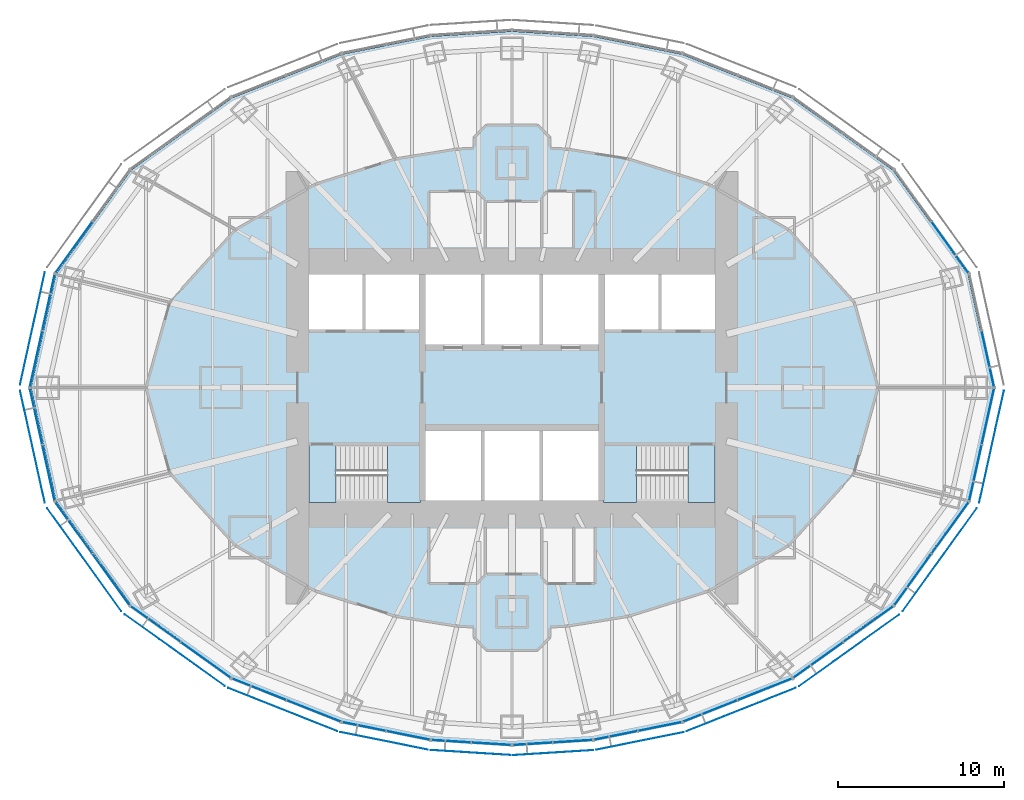
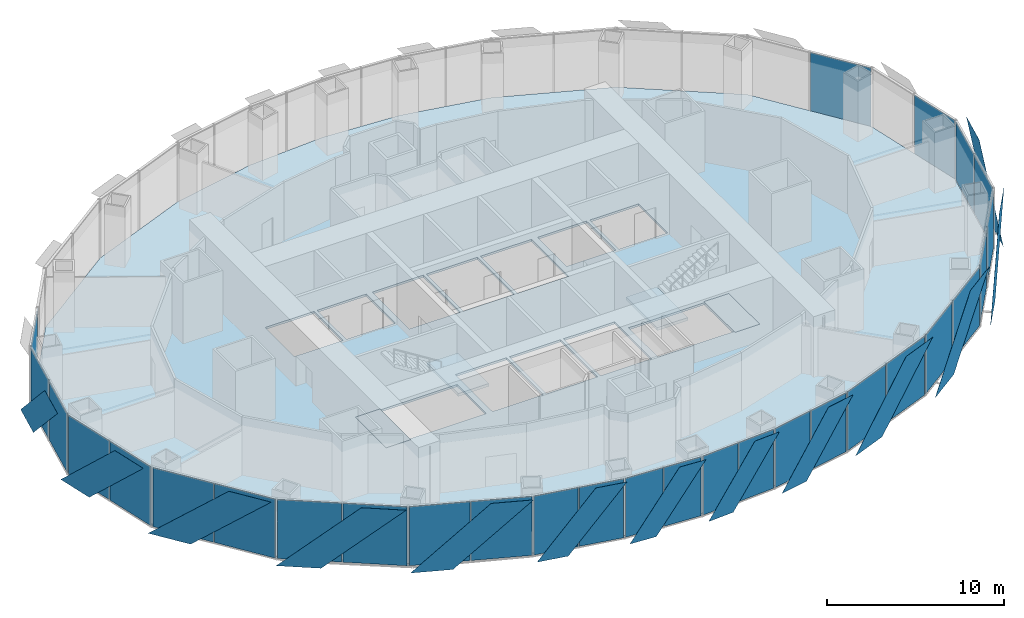
# One storey, part 9 of 17: 42 plates, 5 slabs, 18 elements without a shape of their own.
"""IFC4 building model written with IfcOpenShell, lengths in metres."""

from ifc_helpers import new_model, si_unit, direction, frame, origin, origin_2d, place, context, subcontext, project, spatial, polyline, rectangle, outline, extrude, material, layer, layer_set, type_object, element, aggregate, save


model = new_model("IFC4")

# Units and contexts
model_context = context("Model", 3, precision=1e-05, world=origin(), true_north=direction((0.0, 1.0)))
body_context = subcontext(model_context, "Body", "Model", "MODEL_VIEW")
ifc_project = project(units=[si_unit("LENGTHUNIT", "METRE"), si_unit("AREAUNIT", "SQUARE_METRE"), si_unit("VOLUMEUNIT", "CUBIC_METRE"), si_unit("PLANEANGLEUNIT", "RADIAN"), si_unit("MASSUNIT", "GRAM", prefix="KILO")], contexts=[model_context])

# Site, building, storey
site_placement = place(None, origin())
site = spatial("IfcSite", under=ifc_project, at=site_placement, CompositionType="ELEMENT")
building_placement = place(site_placement, origin())
building = spatial("IfcBuilding", under=site, at=building_placement, Name="Lantaw Convention Tower", CompositionType="ELEMENT")
storey_placement = place(building_placement, frame((0.0, 0.0, 121.60009765625)))
storey = spatial("IfcBuildingStorey", under=building, at=storey_placement, Name="L28", CompositionType="ELEMENT", Elevation=121.60009765625)

# Curtain wall, plate
ifc_material_1 = material(Name="Aluminium framed curtain wall", Category="aluminium")
curtain_wall_type = type_object("IfcCurtainWallType", Name="Office curtain wall low rise, pale aluminium", PredefinedType="USERDEFINED", material=ifc_material_1)
curtain_wall_1_placement = place(storey_placement, origin())
curtain_wall_1 = element("IfcCurtainWall", 1, at=curtain_wall_1_placement, inside=storey, type_object=curtain_wall_type, Name="Office curtain wall low rise, pale aluminium L28", ObjectType="UNITISED CURTAIN WALL", PredefinedType="USERDEFINED")
ifc_material_2 = material(Name="Clear insulating glass", Category="glass")
ifc_layer_1 = layer(ifc_material_2, 0.028076171875)
ifc_layer_set_1 = layer_set([ifc_layer_1], Name="CW-O1 panel 28")
plate_type_1 = type_object("IfcPlateType", Name="CW-O1 panel 28", PredefinedType="CURTAIN_PANEL", material=ifc_layer_set_1)
plate_1_placement = place(storey_placement, frame((28.618408203125, 1.729248046875, -0.0849609375), z_axis=(0.0, 0.0, 1.0), x_axis=(-0.215546166174, 0.9764936509, 0.0)))
plate_1 = element("IfcPlate", 2, at=plate_1_placement, type_object=plate_type_1, Name="CW-O1 panel 1.1", PredefinedType="CURTAIN_PANEL", context=body_context, shape_type="SweptSolid", body=[
    extrude(rectangle(XDim=3.41162109375, YDim=0.028076171875, at=origin_2d()), origin(), (0.0, 0.0, 1.0), 4.070068359375),
])
aggregate(curtain_wall_1, [plate_1])

curtain_wall_2_placement = place(storey_placement, origin())
curtain_wall_2 = element("IfcCurtainWall", 3, at=curtain_wall_2_placement, inside=storey, type_object=curtain_wall_type, Name="Office curtain wall low rise, pale aluminium L28", ObjectType="UNITISED CURTAIN WALL", PredefinedType="USERDEFINED")
plate_2_placement = place(storey_placement, frame((26.34814453125, 8.4345703125, -0.0849609375), z_axis=(0.0, 0.0, 1.0), x_axis=(-0.584512597221, 0.811384633629, 0.0)))
plate_2 = element("IfcPlate", 4, at=plate_2_placement, type_object=plate_type_1, Name="CW-O1 panel 1.1", PredefinedType="CURTAIN_PANEL", context=body_context, shape_type="SweptSolid", body=[
    extrude(rectangle(XDim=3.767333984375, YDim=0.028076171875, at=origin_2d()), origin(), (0.0, 0.0, 1.0), 4.070068359375),
])
aggregate(curtain_wall_2, [plate_2])

curtain_wall_3_placement = place(storey_placement, origin())
curtain_wall_3 = element("IfcCurtainWall", 5, at=curtain_wall_3_placement, inside=storey, type_object=curtain_wall_type, Name="Office curtain wall low rise, pale aluminium L28", ObjectType="UNITISED CURTAIN WALL", PredefinedType="USERDEFINED")
plate_3_placement = place(storey_placement, frame((-26.34814453125, 8.4345703125, -0.0849609375), z_axis=(0.0, 0.0, 1.0), x_axis=(-0.584512597221, -0.811384633629, 0.0)))
plate_3 = element("IfcPlate", 6, at=plate_3_placement, type_object=plate_type_1, Name="CW-O1 panel 2.1", PredefinedType="CURTAIN_PANEL", context=body_context, shape_type="SweptSolid", body=[
    extrude(rectangle(XDim=3.767333984375, YDim=0.028076171875, at=origin_2d()), origin(), (0.0, 0.0, 1.0), 4.070068359375),
])
aggregate(curtain_wall_3, [plate_3])

# Curtain wall, plates
curtain_wall_4_placement = place(storey_placement, origin())
curtain_wall_4 = element("IfcCurtainWall", 7, at=curtain_wall_4_placement, inside=storey, type_object=curtain_wall_type, Name="Office curtain wall low rise, pale aluminium L28", ObjectType="UNITISED CURTAIN WALL", PredefinedType="USERDEFINED")
plate_4_placement = place(storey_placement, frame((-27.868896484375, 5.1240234375, -0.0849609375), z_axis=(0.0, 0.0, 1.0), x_axis=(-0.215546166174, -0.9764936509, 0.0)))
plate_4 = element("IfcPlate", 8, at=plate_4_placement, type_object=plate_type_1, Name="CW-O1 panel 1.1", PredefinedType="CURTAIN_PANEL", context=body_context, shape_type="SweptSolid", body=[
    extrude(rectangle(XDim=3.41162109375, YDim=0.028076171875, at=origin_2d()), origin(), (0.0, 0.0, 1.0), 4.070068359375),
])
plate_5_placement = place(storey_placement, frame((-28.618408203125, 1.729248046875, -0.0849609375), z_axis=(0.0, 0.0, 1.0), x_axis=(-0.215546166174, -0.9764936509, 0.0)))
plate_5 = element("IfcPlate", 9, at=plate_5_placement, type_object=plate_type_1, Name="CW-O1 panel 2.1", PredefinedType="CURTAIN_PANEL", context=body_context, shape_type="SweptSolid", body=[
    extrude(rectangle(XDim=3.41162109375, YDim=0.028076171875, at=origin_2d()), origin(), (0.0, 0.0, 1.0), 4.070068359375),
])
aggregate(curtain_wall_4, [plate_4, plate_5])

curtain_wall_5_placement = place(storey_placement, origin())
curtain_wall_5 = element("IfcCurtainWall", 10, at=curtain_wall_5_placement, inside=storey, type_object=curtain_wall_type, Name="Office curtain wall low rise, pale aluminium L28", ObjectType="UNITISED CURTAIN WALL", PredefinedType="USERDEFINED")
plate_6_placement = place(storey_placement, frame((-28.618408203125, -1.729248046875, -0.0849609375), z_axis=(0.0, 0.0, 1.0), x_axis=(0.215546166174, -0.9764936509, 0.0)))
plate_6 = element("IfcPlate", 11, at=plate_6_placement, type_object=plate_type_1, Name="CW-O1 panel 1.1", PredefinedType="CURTAIN_PANEL", context=body_context, shape_type="SweptSolid", body=[
    extrude(rectangle(XDim=3.41162109375, YDim=0.028076171875, at=origin_2d()), origin(), (0.0, 0.0, 1.0), 4.070068359375),
])
plate_7_placement = place(storey_placement, frame((-27.868896484375, -5.1240234375, -0.0849609375), z_axis=(0.0, 0.0, 1.0), x_axis=(0.215546166174, -0.9764936509, 0.0)))
plate_7 = element("IfcPlate", 12, at=plate_7_placement, type_object=plate_type_1, Name="CW-O1 panel 2.1", PredefinedType="CURTAIN_PANEL", context=body_context, shape_type="SweptSolid", body=[
    extrude(rectangle(XDim=3.41162109375, YDim=0.028076171875, at=origin_2d()), origin(), (0.0, 0.0, 1.0), 4.070068359375),
])
aggregate(curtain_wall_5, [plate_6, plate_7])

curtain_wall_6_placement = place(storey_placement, origin())
curtain_wall_6 = element("IfcCurtainWall", 13, at=curtain_wall_6_placement, inside=storey, type_object=curtain_wall_type, Name="Office curtain wall low rise, pale aluminium L28", ObjectType="UNITISED CURTAIN WALL", PredefinedType="USERDEFINED")
plate_8_placement = place(storey_placement, frame((-26.34814453125, -8.4345703125, -0.0849609375), z_axis=(0.0, 0.0, 1.0), x_axis=(0.584512597221, -0.811384633629, 0.0)))
plate_8 = element("IfcPlate", 14, at=plate_8_placement, type_object=plate_type_1, Name="CW-O1 panel 1.1", PredefinedType="CURTAIN_PANEL", context=body_context, shape_type="SweptSolid", body=[
    extrude(rectangle(XDim=3.767333984375, YDim=0.028076171875, at=origin_2d()), origin(), (0.0, 0.0, 1.0), 4.070068359375),
])
plate_9_placement = place(storey_placement, frame((-24.108154296875, -11.5439453125, -0.0849609375), z_axis=(0.0, 0.0, 1.0), x_axis=(0.584512597221, -0.811384633629, 0.0)))
plate_9 = element("IfcPlate", 15, at=plate_9_placement, type_object=plate_type_1, Name="CW-O1 panel 2.1", PredefinedType="CURTAIN_PANEL", context=body_context, shape_type="SweptSolid", body=[
    extrude(rectangle(XDim=3.767333984375, YDim=0.028076171875, at=origin_2d()), origin(), (0.0, 0.0, 1.0), 4.070068359375),
])
aggregate(curtain_wall_6, [plate_8, plate_9])

curtain_wall_7_placement = place(storey_placement, origin())
curtain_wall_7 = element("IfcCurtainWall", 16, at=curtain_wall_7_placement, inside=storey, type_object=curtain_wall_type, Name="Office curtain wall low rise, pale aluminium L28", ObjectType="UNITISED CURTAIN WALL", PredefinedType="USERDEFINED")
plate_10_placement = place(storey_placement, frame((-21.43408203125, -14.2236328125, -0.0849609375), z_axis=(0.0, 0.0, 1.0), x_axis=(0.813208325995, -0.581972695693, 0.0)))
plate_10 = element("IfcPlate", 17, at=plate_10_placement, type_object=plate_type_1, Name="CW-O1 panel 1.1", PredefinedType="CURTAIN_PANEL", context=body_context, shape_type="SweptSolid", body=[
    extrude(rectangle(XDim=3.645263671875, YDim=0.028076171875, at=origin_2d()), origin(), (0.0, 0.0, 1.0), 4.070068359375),
])
plate_11_placement = place(storey_placement, frame((-18.416748046875, -16.383056640625, -0.0849609375), z_axis=(0.0, 0.0, 1.0), x_axis=(0.813208325995, -0.581972695693, 0.0)))
plate_11 = element("IfcPlate", 18, at=plate_11_placement, type_object=plate_type_1, Name="CW-O1 panel 2.1", PredefinedType="CURTAIN_PANEL", context=body_context, shape_type="SweptSolid", body=[
    extrude(rectangle(XDim=3.645263671875, YDim=0.028076171875, at=origin_2d()), origin(), (0.0, 0.0, 1.0), 4.070068359375),
])
aggregate(curtain_wall_7, [plate_10, plate_11])

curtain_wall_8_placement = place(storey_placement, origin())
curtain_wall_8 = element("IfcCurtainWall", 19, at=curtain_wall_8_placement, inside=storey, type_object=curtain_wall_type, Name="Office curtain wall low rise, pale aluminium L28", ObjectType="UNITISED CURTAIN WALL", PredefinedType="USERDEFINED")
plate_12_placement = place(storey_placement, frame((-15.208251953125, -18.145263671875, -0.0849609375), z_axis=(0.0, 0.0, 1.0), x_axis=(0.929547687544, -0.368701907483, 0.0)))
plate_12 = element("IfcPlate", 20, at=plate_12_placement, type_object=plate_type_1, Name="CW-O1 panel 1.1", PredefinedType="CURTAIN_PANEL", context=body_context, shape_type="SweptSolid", body=[
    extrude(rectangle(XDim=3.470703125, YDim=0.028076171875, at=origin_2d()), origin(), (0.0, 0.0, 1.0), 4.070068359375),
])
plate_13_placement = place(storey_placement, frame((-11.921630859375, -19.448974609375, -0.0849609375), z_axis=(0.0, 0.0, 1.0), x_axis=(0.929547687544, -0.368701907483, 0.0)))
plate_13 = element("IfcPlate", 21, at=plate_13_placement, type_object=plate_type_1, Name="CW-O1 panel 2.1", PredefinedType="CURTAIN_PANEL", context=body_context, shape_type="SweptSolid", body=[
    extrude(rectangle(XDim=3.470703125, YDim=0.028076171875, at=origin_2d()), origin(), (0.0, 0.0, 1.0), 4.070068359375),
])
aggregate(curtain_wall_8, [plate_12, plate_13])

curtain_wall_9_placement = place(storey_placement, origin())
curtain_wall_9 = element("IfcCurtainWall", 22, at=curtain_wall_9_placement, inside=storey, type_object=curtain_wall_type, Name="Office curtain wall low rise, pale aluminium L28", ObjectType="UNITISED CURTAIN WALL", PredefinedType="USERDEFINED")
plate_14_placement = place(storey_placement, frame((-8.893310546875, -20.3857421875, -0.0849609375), z_axis=(0.0, 0.0, 1.0), x_axis=(0.980301514912, -0.197506809659, 0.0)))
plate_14 = element("IfcPlate", 23, at=plate_14_placement, type_object=plate_type_1, Name="CW-O1 panel 1.1", PredefinedType="CURTAIN_PANEL", context=body_context, shape_type="SweptSolid", body=[
    extrude(rectangle(XDim=2.634033203125, YDim=0.028076171875, at=origin_2d()), origin(), (0.0, 0.0, 1.0), 4.070068359375),
])
plate_15_placement = place(storey_placement, frame((-6.247314453125, -20.9189453125, -0.0849609375), z_axis=(0.0, 0.0, 1.0), x_axis=(0.980301514912, -0.197506809659, 0.0)))
plate_15 = element("IfcPlate", 24, at=plate_15_placement, type_object=plate_type_1, Name="CW-O1 panel 2.1", PredefinedType="CURTAIN_PANEL", context=body_context, shape_type="SweptSolid", body=[
    extrude(rectangle(XDim=2.634033203125, YDim=0.028076171875, at=origin_2d()), origin(), (0.0, 0.0, 1.0), 4.070068359375),
])
aggregate(curtain_wall_9, [plate_14, plate_15])

curtain_wall_10_placement = place(storey_placement, origin())
curtain_wall_10 = element("IfcCurtainWall", 25, at=curtain_wall_10_placement, inside=storey, type_object=curtain_wall_type, Name="Office curtain wall low rise, pale aluminium L28", ObjectType="UNITISED CURTAIN WALL", PredefinedType="USERDEFINED")
plate_16_placement = place(storey_placement, frame((-3.653076171875, -21.269775390625, -0.0849609375), z_axis=(0.0, 0.0, 1.0), x_axis=(0.998022035978, -0.062865059466, 0.0)))
plate_16 = element("IfcPlate", 26, at=plate_16_placement, type_object=plate_type_1, Name="CW-O1 panel 1.1", PredefinedType="CURTAIN_PANEL", context=body_context, shape_type="SweptSolid", body=[
    extrude(rectangle(XDim=2.353515625, YDim=0.028076171875, at=origin_2d()), origin(), (0.0, 0.0, 1.0), 4.070068359375),
])
plate_17_placement = place(storey_placement, frame((-1.2392578125, -21.421875, -0.0849609375), z_axis=(0.0, 0.0, 1.0), x_axis=(0.998022035978, -0.062865059466, 0.0)))
plate_17 = element("IfcPlate", 27, at=plate_17_placement, type_object=plate_type_1, Name="CW-O1 panel 2.1", PredefinedType="CURTAIN_PANEL", context=body_context, shape_type="SweptSolid", body=[
    extrude(rectangle(XDim=2.353515625, YDim=0.028076171875, at=origin_2d()), origin(), (0.0, 0.0, 1.0), 4.070068359375),
])
aggregate(curtain_wall_10, [plate_16, plate_17])

curtain_wall_11_placement = place(storey_placement, origin())
curtain_wall_11 = element("IfcCurtainWall", 28, at=curtain_wall_11_placement, inside=storey, type_object=curtain_wall_type, Name="Office curtain wall low rise, pale aluminium L28", ObjectType="UNITISED CURTAIN WALL", PredefinedType="USERDEFINED")
plate_18_placement = place(storey_placement, frame((1.2392578125, -21.421875, -0.0849609375), z_axis=(0.0, 0.0, 1.0), x_axis=(0.998022035978, 0.062865059466, 0.0)))
plate_18 = element("IfcPlate", 29, at=plate_18_placement, type_object=plate_type_1, Name="CW-O1 panel 1.1", PredefinedType="CURTAIN_PANEL", context=body_context, shape_type="SweptSolid", body=[
    extrude(rectangle(XDim=2.353515625, YDim=0.028076171875, at=origin_2d()), origin(), (0.0, 0.0, 1.0), 4.070068359375),
])
plate_19_placement = place(storey_placement, frame((3.653076171875, -21.269775390625, -0.0849609375), z_axis=(0.0, 0.0, 1.0), x_axis=(0.998022035978, 0.062865059466, 0.0)))
plate_19 = element("IfcPlate", 30, at=plate_19_placement, type_object=plate_type_1, Name="CW-O1 panel 2.1", PredefinedType="CURTAIN_PANEL", context=body_context, shape_type="SweptSolid", body=[
    extrude(rectangle(XDim=2.353515625, YDim=0.028076171875, at=origin_2d()), origin(), (0.0, 0.0, 1.0), 4.070068359375),
])
aggregate(curtain_wall_11, [plate_18, plate_19])

curtain_wall_12_placement = place(storey_placement, origin())
curtain_wall_12 = element("IfcCurtainWall", 31, at=curtain_wall_12_placement, inside=storey, type_object=curtain_wall_type, Name="Office curtain wall low rise, pale aluminium L28", ObjectType="UNITISED CURTAIN WALL", PredefinedType="USERDEFINED")
plate_20_placement = place(storey_placement, frame((6.247314453125, -20.9189453125, -0.0849609375), z_axis=(0.0, 0.0, 1.0), x_axis=(0.980301514912, 0.197506809659, 0.0)))
plate_20 = element("IfcPlate", 32, at=plate_20_placement, type_object=plate_type_1, Name="CW-O1 panel 1.1", PredefinedType="CURTAIN_PANEL", context=body_context, shape_type="SweptSolid", body=[
    extrude(rectangle(XDim=2.634033203125, YDim=0.028076171875, at=origin_2d()), origin(), (0.0, 0.0, 1.0), 4.070068359375),
])
plate_21_placement = place(storey_placement, frame((8.893310546875, -20.3857421875, -0.0849609375), z_axis=(0.0, 0.0, 1.0), x_axis=(0.980301514912, 0.197506809659, 0.0)))
plate_21 = element("IfcPlate", 33, at=plate_21_placement, type_object=plate_type_1, Name="CW-O1 panel 2.1", PredefinedType="CURTAIN_PANEL", context=body_context, shape_type="SweptSolid", body=[
    extrude(rectangle(XDim=2.634033203125, YDim=0.028076171875, at=origin_2d()), origin(), (0.0, 0.0, 1.0), 4.070068359375),
])
aggregate(curtain_wall_12, [plate_20, plate_21])

curtain_wall_13_placement = place(storey_placement, origin())
curtain_wall_13 = element("IfcCurtainWall", 34, at=curtain_wall_13_placement, inside=storey, type_object=curtain_wall_type, Name="Office curtain wall low rise, pale aluminium L28", ObjectType="UNITISED CURTAIN WALL", PredefinedType="USERDEFINED")
plate_22_placement = place(storey_placement, frame((11.921630859375, -19.448974609375, -0.0849609375), z_axis=(0.0, 0.0, 1.0), x_axis=(0.929547687544, 0.368701907483, 0.0)))
plate_22 = element("IfcPlate", 35, at=plate_22_placement, type_object=plate_type_1, Name="CW-O1 panel 1.1", PredefinedType="CURTAIN_PANEL", context=body_context, shape_type="SweptSolid", body=[
    extrude(rectangle(XDim=3.470703125, YDim=0.028076171875, at=origin_2d()), origin(), (0.0, 0.0, 1.0), 4.070068359375),
])
plate_23_placement = place(storey_placement, frame((15.208251953125, -18.145263671875, -0.0849609375), z_axis=(0.0, 0.0, 1.0), x_axis=(0.929547687544, 0.368701907483, 0.0)))
plate_23 = element("IfcPlate", 36, at=plate_23_placement, type_object=plate_type_1, Name="CW-O1 panel 2.1", PredefinedType="CURTAIN_PANEL", context=body_context, shape_type="SweptSolid", body=[
    extrude(rectangle(XDim=3.470703125, YDim=0.028076171875, at=origin_2d()), origin(), (0.0, 0.0, 1.0), 4.070068359375),
])
aggregate(curtain_wall_13, [plate_22, plate_23])

curtain_wall_14_placement = place(storey_placement, origin())
curtain_wall_14 = element("IfcCurtainWall", 37, at=curtain_wall_14_placement, inside=storey, type_object=curtain_wall_type, Name="Office curtain wall low rise, pale aluminium L28", ObjectType="UNITISED CURTAIN WALL", PredefinedType="USERDEFINED")
plate_24_placement = place(storey_placement, frame((18.416748046875, -16.383056640625, -0.0849609375), z_axis=(0.0, 0.0, 1.0), x_axis=(0.813208325995, 0.581972695693, 0.0)))
plate_24 = element("IfcPlate", 38, at=plate_24_placement, type_object=plate_type_1, Name="CW-O1 panel 1.1", PredefinedType="CURTAIN_PANEL", context=body_context, shape_type="SweptSolid", body=[
    extrude(rectangle(XDim=3.645263671875, YDim=0.028076171875, at=origin_2d()), origin(), (0.0, 0.0, 1.0), 4.070068359375),
])
plate_25_placement = place(storey_placement, frame((21.43408203125, -14.2236328125, -0.0849609375), z_axis=(0.0, 0.0, 1.0), x_axis=(0.813208325995, 0.581972695693, 0.0)))
plate_25 = element("IfcPlate", 39, at=plate_25_placement, type_object=plate_type_1, Name="CW-O1 panel 2.1", PredefinedType="CURTAIN_PANEL", context=body_context, shape_type="SweptSolid", body=[
    extrude(rectangle(XDim=3.645263671875, YDim=0.028076171875, at=origin_2d()), origin(), (0.0, 0.0, 1.0), 4.070068359375),
])
aggregate(curtain_wall_14, [plate_24, plate_25])

curtain_wall_15_placement = place(storey_placement, origin())
curtain_wall_15 = element("IfcCurtainWall", 40, at=curtain_wall_15_placement, inside=storey, type_object=curtain_wall_type, Name="Office curtain wall low rise, pale aluminium L28", ObjectType="UNITISED CURTAIN WALL", PredefinedType="USERDEFINED")
plate_26_placement = place(storey_placement, frame((24.108154296875, -11.5439453125, -0.0849609375), z_axis=(0.0, 0.0, 1.0), x_axis=(0.584512597221, 0.811384633629, 0.0)))
plate_26 = element("IfcPlate", 41, at=plate_26_placement, type_object=plate_type_1, Name="CW-O1 panel 1.1", PredefinedType="CURTAIN_PANEL", context=body_context, shape_type="SweptSolid", body=[
    extrude(rectangle(XDim=3.767333984375, YDim=0.028076171875, at=origin_2d()), origin(), (0.0, 0.0, 1.0), 4.070068359375),
])
plate_27_placement = place(storey_placement, frame((26.34814453125, -8.4345703125, -0.0849609375), z_axis=(0.0, 0.0, 1.0), x_axis=(0.584512597221, 0.811384633629, 0.0)))
plate_27 = element("IfcPlate", 42, at=plate_27_placement, type_object=plate_type_1, Name="CW-O1 panel 2.1", PredefinedType="CURTAIN_PANEL", context=body_context, shape_type="SweptSolid", body=[
    extrude(rectangle(XDim=3.767333984375, YDim=0.028076171875, at=origin_2d()), origin(), (0.0, 0.0, 1.0), 4.070068359375),
])
aggregate(curtain_wall_15, [plate_26, plate_27])

curtain_wall_16_placement = place(storey_placement, origin())
curtain_wall_16 = element("IfcCurtainWall", 43, at=curtain_wall_16_placement, inside=storey, type_object=curtain_wall_type, Name="Office curtain wall low rise, pale aluminium L28", ObjectType="UNITISED CURTAIN WALL", PredefinedType="USERDEFINED")
plate_28_placement = place(storey_placement, frame((27.868896484375, -5.1240234375, -0.0849609375), z_axis=(0.0, 0.0, 1.0), x_axis=(0.215546166174, 0.9764936509, 0.0)))
plate_28 = element("IfcPlate", 44, at=plate_28_placement, type_object=plate_type_1, Name="CW-O1 panel 1.1", PredefinedType="CURTAIN_PANEL", context=body_context, shape_type="SweptSolid", body=[
    extrude(rectangle(XDim=3.41162109375, YDim=0.028076171875, at=origin_2d()), origin(), (0.0, 0.0, 1.0), 4.070068359375),
])
plate_29_placement = place(storey_placement, frame((28.618408203125, -1.729248046875, -0.0849609375), z_axis=(0.0, 0.0, 1.0), x_axis=(0.215546166174, 0.9764936509, 0.0)))
plate_29 = element("IfcPlate", 45, at=plate_29_placement, type_object=plate_type_1, Name="CW-O1 panel 2.1", PredefinedType="CURTAIN_PANEL", context=body_context, shape_type="SweptSolid", body=[
    extrude(rectangle(XDim=3.41162109375, YDim=0.028076171875, at=origin_2d()), origin(), (0.0, 0.0, 1.0), 4.070068359375),
])
aggregate(curtain_wall_16, [plate_28, plate_29])

# Slab
ifc_material_3 = material(Name="Concrete C35/45", Category="concrete")
ifc_layer_2 = layer(ifc_material_3, 0.14990234375)
ifc_layer_set_2 = layer_set([ifc_layer_2], Name="Floor slab 150")
slab_type_1 = type_object("IfcSlabType", Name="Floor slab 150", PredefinedType="FLOOR", material=ifc_layer_set_2)
slab_1_placement = place(storey_placement, frame((0.0, 0.0, -0.150146484375)))
element("IfcSlab", 46, at=slab_1_placement, inside=storey, type_object=slab_type_1, Name="L28 floor slab", PredefinedType="FLOOR", context=body_context, shape_type="SweptSolid", body=[
    extrude(outline(polyline([(27.417236328125, -6.822021484375), (28.923095703125, 0.0), (27.417236328125, 6.822021484375), (22.915283203125, 13.0712890625), (16.845458984375, 17.415283203125), (10.2265625, 20.04052734375), (4.8828125, 21.1171875), (0.0, 21.4248046875), (-4.8828125, 21.1171875), (-10.2265625, 20.04052734375), (-16.845458984375, 17.415283203125), (-22.915283203125, 13.0712890625), (-27.417236328125, 6.822021484375), (-28.923095703125, 0.0), (-27.417236328125, -6.822021484375), (-22.915283203125, -13.0712890625), (-16.845458984375, -17.415283203125), (-10.2265625, -20.04052734375), (-4.8828125, -21.1171875), (0.0, -21.4248046875), (4.8828125, -21.1171875), (10.2265625, -20.04052734375), (16.845458984375, -17.415283203125), (22.915283203125, -13.0712890625), (27.417236328125, -6.822021484375)]), holes=[polyline([(-5.60009765625, -3.5), (-12.199951171875, -3.5), (-12.199951171875, -6.800048828125), (-5.60009765625, -6.800048828125), (-5.60009765625, -3.5)]), polyline([(-1.86669921875, -6.800048828125), (-1.86669921875, -2.60009765625), (-5.199951171875, -2.60009765625), (-5.199951171875, -6.800048828125), (-1.86669921875, -6.800048828125)]), polyline([(-1.86669921875, 2.60009765625), (-1.86669921875, 6.800048828125), (-5.199951171875, 6.800048828125), (-5.199951171875, 2.60009765625), (-1.86669921875, 2.60009765625)]), polyline([(1.666748046875, 6.800048828125), (-1.666748046875, 6.800048828125), (-1.666748046875, 2.60009765625), (1.666748046875, 2.60009765625), (1.666748046875, 6.800048828125)]), polyline([(-9.0, 3.5), (-9.0, 6.800048828125), (-12.199951171875, 6.800048828125), (-12.199951171875, 3.5), (-9.0, 3.5)]), polyline([(-5.60009765625, 3.5), (-5.60009765625, 6.800048828125), (-8.800048828125, 6.800048828125), (-8.800048828125, 3.5), (-5.60009765625, 3.5)]), polyline([(12.199951171875, -3.5), (5.60009765625, -3.5), (5.60009765625, -6.800048828125), (12.199951171875, -6.800048828125), (12.199951171875, -3.5)]), polyline([(1.666748046875, -6.800048828125), (1.666748046875, -2.60009765625), (-1.666748046875, -2.60009765625), (-1.666748046875, -6.800048828125), (1.666748046875, -6.800048828125)]), polyline([(5.199951171875, -6.800048828125), (5.199951171875, -2.60009765625), (1.86669921875, -2.60009765625), (1.86669921875, -6.800048828125), (5.199951171875, -6.800048828125)]), polyline([(5.199951171875, 6.800048828125), (1.86669921875, 6.800048828125), (1.86669921875, 2.60009765625), (5.199951171875, 2.60009765625), (5.199951171875, 6.800048828125)]), polyline([(8.800048828125, 3.5), (8.800048828125, 6.800048828125), (5.60009765625, 6.800048828125), (5.60009765625, 3.5), (8.800048828125, 3.5)]), polyline([(12.199951171875, 3.5), (12.199951171875, 6.800048828125), (9.0, 6.800048828125), (9.0, 3.5), (12.199951171875, 3.5)])]), origin(), (0.0, 0.0, 1.0), 0.150146484375),
])

# Plates
ifc_material_4 = material(Name="Perforated aluminium sheet, pale silver finish", Category="aluminium")
ifc_layer_3 = layer(ifc_material_4, 0.006103515625)
ifc_layer_set_3 = layer_set([ifc_layer_3], Name="Perforated aluminium solar SCREEN panel")
plate_type_2 = type_object("IfcPlateType", Name="Perforated aluminium solar SCREEN panel", PredefinedType="SHEET", material=ifc_layer_set_3)
plate_30_placement = place(storey_placement, frame((-28.08984375, 6.93505859375, -0.175048828125), z_axis=(0.976497812463, -0.215527309509, 3.3329045e-05), x_axis=(-0.215527309629, -0.976497813005, -1.665e-09)))
element("IfcPlate", 47, at=plate_30_placement, inside=storey, type_object=plate_type_2, Name="Solar SCREEN panel", PredefinedType="SHEET", context=body_context, shape_type="SweptSolid", body=[
    extrude(outline(polyline([(0.0, 0.0), (2.386131748388921, -3.3881317890172014e-21), (6.918240176095255, -4.339843763929156), (4.532055808734257, -4.33984375598333), (0.0, 0.0)])), origin(), (0.0, 0.0, -1.0), 0.006103515625),
])
plate_31_placement = place(storey_placement, frame((-29.5810546875, -0.179443359375, -0.175048828125), z_axis=(-0.976497812463, -0.215527309509, 3.3329045e-05), x_axis=(0.215527309629, -0.976497813005, 1.665e-09)))
element("IfcPlate", 48, at=plate_31_placement, inside=storey, type_object=plate_type_2, Name="Solar SCREEN panel", PredefinedType="SHEET", context=body_context, shape_type="SweptSolid", body=[
    extrude(outline(polyline([(0.0, 0.0), (2.3861843673609986, 0.0), (6.918240190546627, 4.339843740891906), (4.532108442157707, 4.339843748837556), (0.0, 0.0)])), origin(), (0.0, 0.0, -1.0), 0.006103515625),
])
plate_32_placement = place(storey_placement, frame((-27.94970703125, -7.248046875, -0.175048828125), z_axis=(-0.81139512159, -0.584498037099, 3.5888803e-05), x_axis=(0.584498037475, -0.811395122112, -9.74e-10)))
element("IfcPlate", 49, at=plate_32_placement, inside=storey, type_object=plate_type_2, Name="Solar SCREEN panel", PredefinedType="SHEET", context=body_context, shape_type="SweptSolid", body=[
    extrude(outline(polyline([(0.0, 0.0), (2.628222178575422, -6.776263578034403e-21), (7.629778257969264, 4.339843760228519), (5.001754173906077, 4.339843755107391), (0.0, 0.0)])), origin(), (0.0, 0.0, -1.0), 0.006103515625),
])
plate_33_placement = place(storey_placement, frame((-23.281005859375, -13.64697265625, -0.175048828125), z_axis=(-0.582000183937, -0.813188653244, 1.1537794e-05), x_axis=(0.813188653298, -0.582000183975, 0.0)))
element("IfcPlate", 50, at=plate_33_placement, inside=storey, type_object=plate_type_2, Name="Solar SCREEN panel", PredefinedType="SHEET", context=body_context, shape_type="SweptSolid", body=[
    extrude(outline(polyline([(0.0, 0.0), (2.5450183911586484, 1.6940658945086007e-21), (7.385531276904658, 4.339843750288861), (4.840512885746009, 4.339843750288861), (0.0, 0.0)])), origin(), (0.0, 0.0, -1.0), 0.006103515625),
])
plate_34_placement = place(storey_placement, frame((-17.05859375, -18.063232421875, -0.175048828125), z_axis=(0.368708915367, 0.929544907797, 1.0867661e-05), x_axis=(0.929544907851, -0.368708915389, 7.1e-10)))
element("IfcPlate", 51, at=plate_34_placement, inside=storey, type_object=plate_type_2, Name="Solar SCREEN panel", PredefinedType="SHEET", context=body_context, shape_type="SweptSolid", body=[
    extrude(outline(polyline([(0.0, 0.0), (2.4263803793049097, 0.0), (7.036549629566982, -4.339843745261612), (4.61003232741235, -4.339843748706285), (0.0, 0.0)])), origin(), (0.0, 0.0, -1.0), 0.006103515625),
])
plate_35_placement = place(storey_placement, frame((-10.318603515625, -20.716796875, -0.175048828125), z_axis=(-0.197556725442, -0.980291455983, 3.9485719e-05), x_axis=(0.980291456747, -0.197556725596, 0.0)))
element("IfcPlate", 52, at=plate_35_placement, inside=storey, type_object=plate_type_2, Name="Solar SCREEN panel", PredefinedType="SHEET", context=body_context, shape_type="SweptSolid", body=[
    extrude(outline(polyline([(0.0, 0.0), (1.8574075788555457, 1.6940658945086007e-21), (5.362987026845185, 4.339843753383173), (3.505579447989639, 4.339843753383173), (0.0, 0.0)])), origin(), (0.0, 0.0, -1.0), 0.006103515625),
])
plate_36_placement = place(storey_placement, frame((-4.880615234375, -21.7998046875, -0.175048828125), z_axis=(-0.062838799866, -0.998023689713, 1.755158e-06), x_axis=(0.998023689715, -0.062838799866, -8e-12)))
element("IfcPlate", 53, at=plate_36_placement, inside=storey, type_object=plate_type_2, Name="Solar SCREEN panel", PredefinedType="SHEET", context=body_context, shape_type="SweptSolid", body=[
    extrude(outline(polyline([(0.0, 0.0), (1.6666243269452135, 2.6469779601696886e-23), (4.802214797186689, 4.339843750045478), (3.135346812114104, 4.33984375001855), (0.0, 0.0)])), origin(), (0.0, 0.0, -1.0), 0.006103515625),
])
plate_37_placement = place(storey_placement, frame((0.087890625, -22.1015625, -0.175048828125), z_axis=(-0.062838799866, 0.998023689713, 1.755158e-06), x_axis=(0.998023689715, 0.062838799866, 8e-12)))
element("IfcPlate", 54, at=plate_37_placement, inside=storey, type_object=plate_type_2, Name="Solar SCREEN panel", PredefinedType="SHEET", context=body_context, shape_type="SweptSolid", body=[
    extrude(outline(polyline([(0.0, 0.0), (1.6668679850725854, -5.293955920339377e-23), (4.802214797256801, -4.339843749967897), (3.1355904703115876, -4.339843749994822), (0.0, 0.0)])), origin(), (0.0, 0.0, -1.0), 0.006103515625),
])
plate_38_placement = place(storey_placement, frame((5.061279296875, -21.776123046875, -0.175048828125), z_axis=(-0.197556725442, 0.980291455983, 3.9485719e-05), x_axis=(0.980291456747, 0.197556725596, 0.0)))
element("IfcPlate", 55, at=plate_38_placement, inside=storey, type_object=plate_type_2, Name="Solar SCREEN panel", PredefinedType="SHEET", context=body_context, shape_type="SweptSolid", body=[
    extrude(outline(polyline([(0.0, 0.0), (1.8574075788555457, -1.6940658945086007e-21), (5.362987026845185, -4.339843753383173), (3.505579447989639, -4.339843753383173), (0.0, 0.0)])), origin(), (0.0, 0.0, -1.0), 0.006103515625),
])
plate_39_placement = place(storey_placement, frame((10.517822265625, -20.65771484375, -0.175048828125), z_axis=(0.368708915367, -0.929544907797, 1.0867661e-05), x_axis=(0.929544907851, 0.368708915389, -7.1e-10)))
element("IfcPlate", 56, at=plate_39_placement, inside=storey, type_object=plate_type_2, Name="Solar SCREEN panel", PredefinedType="SHEET", context=body_context, shape_type="SweptSolid", body=[
    extrude(outline(polyline([(0.0, 0.0), (2.426517302154632, 1.6940658945086007e-21), (7.036549623406159, 4.339843755250667), (4.610169244101249, 4.339843751806188), (0.0, 0.0)])), origin(), (0.0, 0.0, -1.0), 0.006103515625),
])
plate_40_placement = place(storey_placement, frame((17.275146484375, -17.9453125, -0.175048828125), z_axis=(-0.582000183937, 0.813188653244, 1.1537794e-05), x_axis=(0.813188653298, 0.582000183975, 0.0)))
element("IfcPlate", 57, at=plate_40_placement, inside=storey, type_object=plate_type_2, Name="Solar SCREEN panel", PredefinedType="SHEET", context=body_context, shape_type="SweptSolid", body=[
    extrude(outline(polyline([(0.0, 0.0), (2.5450183911586484, -1.6940658945086007e-21), (7.385531276904658, -4.339843750288861), (4.840512885746009, -4.339843750288861), (0.0, 0.0)])), origin(), (0.0, 0.0, -1.0), 0.006103515625),
])
plate_41_placement = place(storey_placement, frame((23.489990234375, -13.438720703125, -0.175048828125), z_axis=(-0.81139512159, 0.584498037099, 3.5888803e-05), x_axis=(0.584498037475, 0.811395122112, 9.74e-10)))
element("IfcPlate", 58, at=plate_41_placement, inside=storey, type_object=plate_type_2, Name="Solar SCREEN panel", PredefinedType="SHEET", context=body_context, shape_type="SweptSolid", body=[
    extrude(outline(polyline([(0.0, 0.0), (2.6280240840631874, 6.776263578034403e-21), (7.62977826642615, -4.339843745360666), (5.001556087850728, -4.3398437504821805), (0.0, 0.0)])), origin(), (0.0, 0.0, -1.0), 0.006103515625),
])
plate_42_placement = place(storey_placement, frame((28.08984375, -6.93505859375, -0.175048828125), z_axis=(-0.976497812463, 0.215527309509, 3.3329045e-05), x_axis=(0.215527309629, 0.976497813005, -1.665e-09)))
element("IfcPlate", 59, at=plate_42_placement, inside=storey, type_object=plate_type_2, Name="Solar SCREEN panel", PredefinedType="SHEET", context=body_context, shape_type="SweptSolid", body=[
    extrude(outline(polyline([(0.0, 0.0), (2.386131748388921, -3.3881317890172014e-21), (6.918240176095255, -4.339843763929156), (4.532055808734257, -4.33984375598333), (0.0, 0.0)])), origin(), (0.0, 0.0, -1.0), 0.006103515625),
])

# Stair, slabs
stair_type = type_object("IfcStairType", Name="Exit stair 1500 riser 175 in 2 flights", PredefinedType="HALF_TURN_STAIR", material=ifc_material_3)
stair_1_placement = place(storey_placement, origin())
stair_1 = element("IfcStair", 60, at=stair_1_placement, inside=storey, type_object=stair_type, Name="Exit stair S1 L28", PredefinedType="HALF_TURN_STAIR")
ifc_layer_4 = layer(ifc_material_3, 0.199951171875)
ifc_layer_set_4 = layer_set([ifc_layer_4], Name="Stair landing 200")
slab_type_2 = type_object("IfcSlabType", Name="Stair landing 200", PredefinedType="LANDING", material=ifc_layer_set_4)
slab_2_placement = place(storey_placement, frame((0.0, 0.0, -0.2001953125)))
slab_2 = element("IfcSlab", 61, at=slab_2_placement, type_object=slab_type_2, Name="S1 landing 1", PredefinedType="LANDING", context=body_context, shape_type="SweptSolid", body=[
    extrude(outline(polyline([(-12.199951171875, -6.89990234375), (-10.580078125, -6.89990234375), (-10.580078125, -3.39990234375), (-12.199951171875, -3.39990234375), (-12.199951171875, -6.89990234375)])), origin(), (0.0, 0.0, 1.0), 0.2001953125),
])
slab_3_placement = place(storey_placement, frame((0.0, 0.0, 1.89990234375)))
slab_3 = element("IfcSlab", 62, at=slab_3_placement, type_object=slab_type_2, Name="S1 landing 2", PredefinedType="LANDING", context=body_context, shape_type="SweptSolid", body=[
    extrude(outline(polyline([(-7.5, -6.89990234375), (-5.5, -6.89990234375), (-5.5, -3.39990234375), (-7.5, -3.39990234375), (-7.5, -6.89990234375)])), origin(), (0.0, 0.0, 1.0), 0.199951171875),
])
aggregate(stair_1, [slab_2, slab_3])

stair_2_placement = place(storey_placement, origin())
stair_2 = element("IfcStair", 63, at=stair_2_placement, inside=storey, type_object=stair_type, Name="Exit stair S2 L28", PredefinedType="HALF_TURN_STAIR")
slab_4_placement = place(storey_placement, frame((0.0, 0.0, -0.2001953125)))
slab_4 = element("IfcSlab", 64, at=slab_4_placement, type_object=slab_type_2, Name="S2 landing 1", PredefinedType="LANDING", context=body_context, shape_type="SweptSolid", body=[
    extrude(outline(polyline([(10.580078125, -6.89990234375), (12.199951171875, -6.89990234375), (12.199951171875, -3.39990234375), (10.580078125, -3.39990234375), (10.580078125, -6.89990234375)])), origin(), (0.0, 0.0, 1.0), 0.2001953125),
])
slab_5_placement = place(storey_placement, frame((0.0, 0.0, 1.89990234375)))
slab_5 = element("IfcSlab", 65, at=slab_5_placement, type_object=slab_type_2, Name="S2 landing 2", PredefinedType="LANDING", context=body_context, shape_type="SweptSolid", body=[
    extrude(outline(polyline([(5.5, -6.89990234375), (7.5, -6.89990234375), (7.5, -3.39990234375), (5.5, -3.39990234375), (5.5, -6.89990234375)])), origin(), (0.0, 0.0, 1.0), 0.199951171875),
])
aggregate(stair_2, [slab_4, slab_5])

save(model, "model.ifc")
